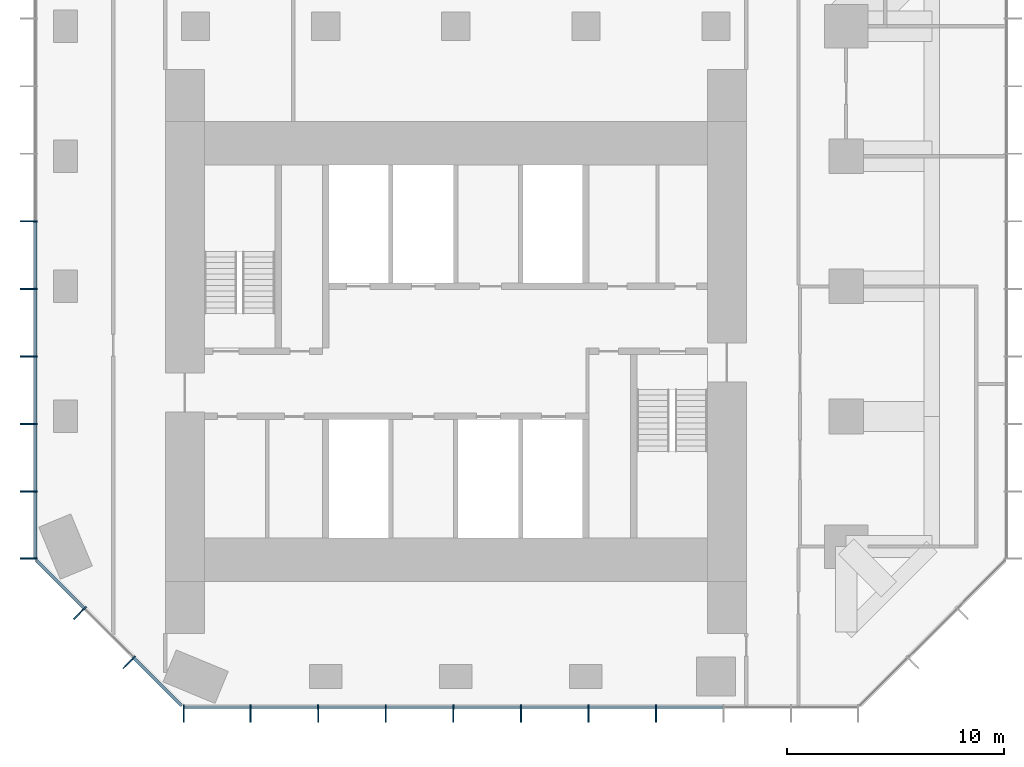
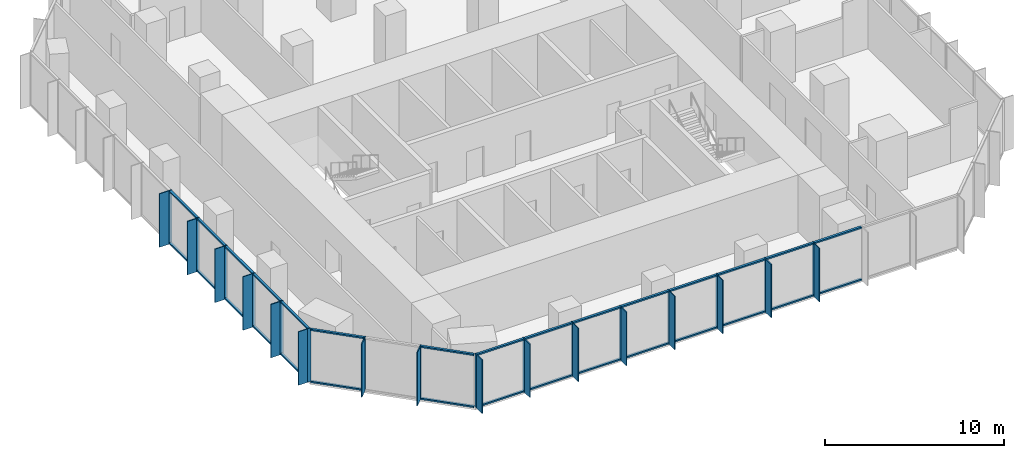
# One storey, part 2 of 11: 62 members, 3 elements without a shape of their own.
"""IFC4 building model written with IfcOpenShell, lengths in metres."""

from ifc_helpers import new_model, si_unit, direction, frame, origin, origin_2d, place, context, subcontext, project, spatial, rectangle, extrude, material, layer, layer_set, material_profile, profile_set, type_object, element, aggregate, save


model = new_model("IFC4")

# Units and contexts
model_context = context("Model", 3, precision=1e-05, world=origin(), true_north=direction((0.0, 1.0)))
body_context = subcontext(model_context, "Body", "Model", "MODEL_VIEW")
ifc_project = project(units=[si_unit("LENGTHUNIT", "METRE"), si_unit("AREAUNIT", "SQUARE_METRE"), si_unit("VOLUMEUNIT", "CUBIC_METRE"), si_unit("PLANEANGLEUNIT", "RADIAN"), si_unit("MASSUNIT", "GRAM", prefix="KILO")], contexts=[model_context])

# Site, building, storey
site_placement = place(None, origin())
site = spatial("IfcSite", under=ifc_project, at=site_placement, CompositionType="ELEMENT")
building_placement = place(site_placement, origin())
building = spatial("IfcBuilding", under=site, at=building_placement, Name="Highveld Stack Headquarters", CompositionType="ELEMENT")
storey_placement = place(building_placement, frame((0.0, 0.0, 169.39990234375)))
storey = spatial("IfcBuildingStorey", under=building, at=storey_placement, Name="L41", CompositionType="ELEMENT", Elevation=169.39990234375)

# Curtain wall, members
ifc_material_1 = material(Name="Aluminium bronze anodised", Category="aluminium")
ifc_layer = layer(ifc_material_1, 0.199951171875)
ifc_layer_set = layer_set([ifc_layer], Name="Aluminium bronze anodised")
curtain_wall_type = type_object("IfcCurtainWallType", Name="CW6 SKY LOBBY UNITISED CURTAIN WALL", PredefinedType="NOTDEFINED", material=ifc_layer_set)
curtain_wall_1_placement = place(storey_placement, origin())
curtain_wall_1 = element("IfcCurtainWall", 1, at=curtain_wall_1_placement, inside=storey, type_object=curtain_wall_type, Name="Curtain wall CW6 L41 S", PredefinedType="NOTDEFINED")
ifc_material_2 = material(Name="Aluminium bronze anodised", Category="aluminium")
ifc_material_profile_1 = material_profile(ifc_material_2, rectangle(XDim=0.60009765625, YDim=0.06005859375, at=origin_2d()), Name="FIN 600x60")
ifc_profile_set_1 = profile_set([ifc_material_profile_1], Name="Aluminium bronze anodised")
member_type_1 = type_object("IfcMemberType", Name="CW6 BRONZE FIN 600x60", PredefinedType="USERDEFINED", material=ifc_profile_set_1)
member_1_placement = place(storey_placement, frame((-6.54736328125, -13.800048828125, 0.0), z_axis=(0.0, 0.0, 1.0), x_axis=(0.0, 1.0, 0.0)))
member_1 = element("IfcMember", 2, at=member_1_placement, type_object=member_type_1, Name="CW6 fin L41 1", ObjectType="FIN", PredefinedType="USERDEFINED", context=body_context, shape_type="SweptSolid", body=[
    extrude(rectangle(XDim=0.60009765625, YDim=0.06005859375, at=origin_2d()), origin(), (0.0, 0.0, 1.0), 3.650146484375),
])
member_2_placement = place(storey_placement, frame((-3.4638671875, -13.800048828125, 0.0), z_axis=(0.0, 0.0, 1.0), x_axis=(0.0, 1.0, 0.0)))
member_2 = element("IfcMember", 3, at=member_2_placement, type_object=member_type_1, Name="CW6 fin L41 2", ObjectType="FIN", PredefinedType="USERDEFINED", context=body_context, shape_type="SweptSolid", body=[
    extrude(rectangle(XDim=0.60009765625, YDim=0.06005859375, at=origin_2d()), origin(), (0.0, 0.0, 1.0), 3.650146484375),
])
member_3_placement = place(storey_placement, frame((-0.347900390625, -13.800048828125, 0.0), z_axis=(0.0, 0.0, 1.0), x_axis=(0.0, 1.0, 0.0)))
member_3 = element("IfcMember", 4, at=member_3_placement, type_object=member_type_1, Name="CW6 fin L41 3", ObjectType="FIN", PredefinedType="USERDEFINED", context=body_context, shape_type="SweptSolid", body=[
    extrude(rectangle(XDim=0.60009765625, YDim=0.06005859375, at=origin_2d()), origin(), (0.0, 0.0, 1.0), 3.650146484375),
])
member_4_placement = place(storey_placement, frame((2.76806640625, -13.800048828125, 0.0), z_axis=(0.0, 0.0, 1.0), x_axis=(0.0, 1.0, 0.0)))
member_4 = element("IfcMember", 5, at=member_4_placement, type_object=member_type_1, Name="CW6 fin L41 4", ObjectType="FIN", PredefinedType="USERDEFINED", context=body_context, shape_type="SweptSolid", body=[
    extrude(rectangle(XDim=0.60009765625, YDim=0.06005859375, at=origin_2d()), origin(), (0.0, 0.0, 1.0), 3.650146484375),
])
member_5_placement = place(storey_placement, frame((5.884033203125, -13.800048828125, 0.0), z_axis=(0.0, 0.0, 1.0), x_axis=(0.0, 1.0, 0.0)))
member_5 = element("IfcMember", 6, at=member_5_placement, type_object=member_type_1, Name="CW6 fin L41 5", ObjectType="FIN", PredefinedType="USERDEFINED", context=body_context, shape_type="SweptSolid", body=[
    extrude(rectangle(XDim=0.60009765625, YDim=0.06005859375, at=origin_2d()), origin(), (0.0, 0.0, 1.0), 3.650146484375),
])
member_6_placement = place(storey_placement, frame((9.0, -13.800048828125, 0.0), z_axis=(0.0, 0.0, 1.0), x_axis=(0.0, 1.0, 0.0)))
member_6 = element("IfcMember", 7, at=member_6_placement, type_object=member_type_1, Name="CW6 fin L41 6", ObjectType="FIN", PredefinedType="USERDEFINED", context=body_context, shape_type="SweptSolid", body=[
    extrude(rectangle(XDim=0.60009765625, YDim=0.06005859375, at=origin_2d()), origin(), (0.0, 0.0, 1.0), 3.650146484375),
])
member_7_placement = place(storey_placement, frame((12.115966796875, -13.800048828125, 0.0), z_axis=(0.0, 0.0, 1.0), x_axis=(0.0, 1.0, 0.0)))
member_7 = element("IfcMember", 8, at=member_7_placement, type_object=member_type_1, Name="CW6 fin L41 7", ObjectType="FIN", PredefinedType="USERDEFINED", context=body_context, shape_type="SweptSolid", body=[
    extrude(rectangle(XDim=0.60009765625, YDim=0.06005859375, at=origin_2d()), origin(), (0.0, 0.0, 1.0), 3.650146484375),
])
member_8_placement = place(storey_placement, frame((15.23193359375, -13.800048828125, 0.0), z_axis=(0.0, 0.0, 1.0), x_axis=(0.0, 1.0, 0.0)))
member_8 = element("IfcMember", 9, at=member_8_placement, type_object=member_type_1, Name="CW6 fin L41 8", ObjectType="FIN", PredefinedType="USERDEFINED", context=body_context, shape_type="SweptSolid", body=[
    extrude(rectangle(XDim=0.60009765625, YDim=0.06005859375, at=origin_2d()), origin(), (0.0, 0.0, 1.0), 3.650146484375),
])

curtain_wall_2_placement = place(storey_placement, origin())
curtain_wall_2 = element("IfcCurtainWall", 10, at=curtain_wall_2_placement, inside=storey, type_object=curtain_wall_type, Name="Curtain wall CW6 L41 W", PredefinedType="NOTDEFINED")
member_9_placement = place(storey_placement, frame((-13.800048828125, 9.0, 0.0), z_axis=(0.0, 0.0, 1.0), x_axis=(1.0, 0.0, 0.0)))
member_9 = element("IfcMember", 11, at=member_9_placement, type_object=member_type_1, Name="CW6 fin L41 6", ObjectType="FIN", PredefinedType="USERDEFINED", context=body_context, shape_type="SweptSolid", body=[
    extrude(rectangle(XDim=0.60009765625, YDim=0.06005859375, at=origin_2d()), origin(), (0.0, 0.0, 1.0), 3.650146484375),
])
member_10_placement = place(storey_placement, frame((-13.800048828125, 5.884033203125, 0.0), z_axis=(0.0, 0.0, 1.0), x_axis=(1.0, 0.0, 0.0)))
member_10 = element("IfcMember", 12, at=member_10_placement, type_object=member_type_1, Name="CW6 fin L41 7", ObjectType="FIN", PredefinedType="USERDEFINED", context=body_context, shape_type="SweptSolid", body=[
    extrude(rectangle(XDim=0.60009765625, YDim=0.06005859375, at=origin_2d()), origin(), (0.0, 0.0, 1.0), 3.650146484375),
])
member_11_placement = place(storey_placement, frame((-13.800048828125, 2.76806640625, 0.0), z_axis=(0.0, 0.0, 1.0), x_axis=(1.0, 0.0, 0.0)))
member_11 = element("IfcMember", 13, at=member_11_placement, type_object=member_type_1, Name="CW6 fin L41 8", ObjectType="FIN", PredefinedType="USERDEFINED", context=body_context, shape_type="SweptSolid", body=[
    extrude(rectangle(XDim=0.60009765625, YDim=0.06005859375, at=origin_2d()), origin(), (0.0, 0.0, 1.0), 3.650146484375),
])
member_12_placement = place(storey_placement, frame((-13.800048828125, -0.347900390625, 0.0), z_axis=(0.0, 0.0, 1.0), x_axis=(1.0, 0.0, 0.0)))
member_12 = element("IfcMember", 14, at=member_12_placement, type_object=member_type_1, Name="CW6 fin L41 9", ObjectType="FIN", PredefinedType="USERDEFINED", context=body_context, shape_type="SweptSolid", body=[
    extrude(rectangle(XDim=0.60009765625, YDim=0.06005859375, at=origin_2d()), origin(), (0.0, 0.0, 1.0), 3.650146484375),
])
member_13_placement = place(storey_placement, frame((-13.800048828125, -3.4638671875, 0.0), z_axis=(0.0, 0.0, 1.0), x_axis=(1.0, 0.0, 0.0)))
member_13 = element("IfcMember", 15, at=member_13_placement, type_object=member_type_1, Name="CW6 fin L41 10", ObjectType="FIN", PredefinedType="USERDEFINED", context=body_context, shape_type="SweptSolid", body=[
    extrude(rectangle(XDim=0.60009765625, YDim=0.06005859375, at=origin_2d()), origin(), (0.0, 0.0, 1.0), 3.650146484375),
])
member_14_placement = place(storey_placement, frame((-13.800048828125, -6.54736328125, 0.0), z_axis=(0.0, 0.0, 1.0), x_axis=(1.0, 0.0, 0.0)))
member_14 = element("IfcMember", 16, at=member_14_placement, type_object=member_type_1, Name="CW6 fin L41 11", ObjectType="FIN", PredefinedType="USERDEFINED", context=body_context, shape_type="SweptSolid", body=[
    extrude(rectangle(XDim=0.60009765625, YDim=0.06005859375, at=origin_2d()), origin(), (0.0, 0.0, 1.0), 3.650146484375),
])

curtain_wall_3_placement = place(storey_placement, origin())
curtain_wall_3 = element("IfcCurtainWall", 17, at=curtain_wall_3_placement, inside=storey, type_object=curtain_wall_type, Name="Curtain wall CW6 L41 SW", PredefinedType="NOTDEFINED")
member_15_placement = place(storey_placement, frame((-11.409423828125, -9.135986328125, 0.0), z_axis=(0.0, 0.0, 1.0), x_axis=(0.707106781187, 0.707106781187, 0.0)))
member_15 = element("IfcMember", 18, at=member_15_placement, type_object=member_type_1, Name="CW6 fin L41 1", ObjectType="FIN", PredefinedType="USERDEFINED", context=body_context, shape_type="SweptSolid", body=[
    extrude(rectangle(XDim=0.60009765625, YDim=0.06005859375, at=origin_2d()), origin(), (0.0, 0.0, 1.0), 3.650146484375),
])
member_16_placement = place(storey_placement, frame((-9.135986328125, -11.409423828125, 0.0), z_axis=(0.0, 0.0, 1.0), x_axis=(0.707106781187, 0.707106781187, 0.0)))
member_16 = element("IfcMember", 19, at=member_16_placement, type_object=member_type_1, Name="CW6 fin L41 2", ObjectType="FIN", PredefinedType="USERDEFINED", context=body_context, shape_type="SweptSolid", body=[
    extrude(rectangle(XDim=0.60009765625, YDim=0.06005859375, at=origin_2d()), origin(), (0.0, 0.0, 1.0), 3.650146484375),
])

# Member
ifc_material_3 = material(Name="Aluminium bronze anodised", Category="aluminium")
ifc_material_profile_2 = material_profile(ifc_material_3, rectangle(XDim=0.199951171875, YDim=0.06494140625, at=origin_2d()), Name="CW6 MULLION 65x200")
ifc_profile_set_2 = profile_set([ifc_material_profile_2], Name="Aluminium bronze anodised")
member_type_2 = type_object("IfcMemberType", Name="CW6 MULLION 65x200", PredefinedType="MULLION", material=ifc_profile_set_2)
member_17_placement = place(storey_placement, frame((-6.54736328125, -13.39990234375, 0.0), z_axis=(0.0, 0.0, 1.0), x_axis=(0.0, 1.0, 0.0)))
member_17 = element("IfcMember", 20, at=member_17_placement, type_object=member_type_2, Name="CW6 mullion L41 1", PredefinedType="MULLION", context=body_context, shape_type="SweptSolid", body=[
    extrude(rectangle(XDim=0.199951171875, YDim=0.06494140625, at=origin_2d()), origin(), (0.0, 0.0, 1.0), 3.650146484375),
])

member_18_placement = place(storey_placement, frame((-3.4638671875, -13.39990234375, 0.0), z_axis=(0.0, 0.0, 1.0), x_axis=(0.0, 1.0, 0.0)))
member_18 = element("IfcMember", 21, at=member_18_placement, type_object=member_type_2, Name="CW6 mullion L41 2", PredefinedType="MULLION", context=body_context, shape_type="SweptSolid", body=[
    extrude(rectangle(XDim=0.199951171875, YDim=0.06494140625, at=origin_2d()), origin(), (0.0, 0.0, 1.0), 3.650146484375),
])

member_19_placement = place(storey_placement, frame((-0.347900390625, -13.39990234375, 0.0), z_axis=(0.0, 0.0, 1.0), x_axis=(0.0, 1.0, 0.0)))
member_19 = element("IfcMember", 22, at=member_19_placement, type_object=member_type_2, Name="CW6 mullion L41 3", PredefinedType="MULLION", context=body_context, shape_type="SweptSolid", body=[
    extrude(rectangle(XDim=0.199951171875, YDim=0.06494140625, at=origin_2d()), origin(), (0.0, 0.0, 1.0), 3.650146484375),
])

member_20_placement = place(storey_placement, frame((2.76806640625, -13.39990234375, 0.0), z_axis=(0.0, 0.0, 1.0), x_axis=(0.0, 1.0, 0.0)))
member_20 = element("IfcMember", 23, at=member_20_placement, type_object=member_type_2, Name="CW6 mullion L41 4", PredefinedType="MULLION", context=body_context, shape_type="SweptSolid", body=[
    extrude(rectangle(XDim=0.199951171875, YDim=0.06494140625, at=origin_2d()), origin(), (0.0, 0.0, 1.0), 3.650146484375),
])

member_21_placement = place(storey_placement, frame((5.884033203125, -13.39990234375, 0.0), z_axis=(0.0, 0.0, 1.0), x_axis=(0.0, 1.0, 0.0)))
member_21 = element("IfcMember", 24, at=member_21_placement, type_object=member_type_2, Name="CW6 mullion L41 5", PredefinedType="MULLION", context=body_context, shape_type="SweptSolid", body=[
    extrude(rectangle(XDim=0.199951171875, YDim=0.06494140625, at=origin_2d()), origin(), (0.0, 0.0, 1.0), 3.650146484375),
])

member_22_placement = place(storey_placement, frame((9.0, -13.39990234375, 0.0), z_axis=(0.0, 0.0, 1.0), x_axis=(0.0, 1.0, 0.0)))
member_22 = element("IfcMember", 25, at=member_22_placement, type_object=member_type_2, Name="CW6 mullion L41 6", PredefinedType="MULLION", context=body_context, shape_type="SweptSolid", body=[
    extrude(rectangle(XDim=0.199951171875, YDim=0.06494140625, at=origin_2d()), origin(), (0.0, 0.0, 1.0), 3.650146484375),
])

member_23_placement = place(storey_placement, frame((12.115966796875, -13.39990234375, 0.0), z_axis=(0.0, 0.0, 1.0), x_axis=(0.0, 1.0, 0.0)))
member_23 = element("IfcMember", 26, at=member_23_placement, type_object=member_type_2, Name="CW6 mullion L41 7", PredefinedType="MULLION", context=body_context, shape_type="SweptSolid", body=[
    extrude(rectangle(XDim=0.199951171875, YDim=0.06494140625, at=origin_2d()), origin(), (0.0, 0.0, 1.0), 3.650146484375),
])

member_24_placement = place(storey_placement, frame((15.23193359375, -13.39990234375, 0.0), z_axis=(0.0, 0.0, 1.0), x_axis=(0.0, 1.0, 0.0)))
member_24 = element("IfcMember", 27, at=member_24_placement, type_object=member_type_2, Name="CW6 mullion L41 8", PredefinedType="MULLION", context=body_context, shape_type="SweptSolid", body=[
    extrude(rectangle(XDim=0.199951171875, YDim=0.06494140625, at=origin_2d()), origin(), (0.0, 0.0, 1.0), 3.650146484375),
])

member_25_placement = place(storey_placement, frame((-13.39990234375, 9.0, 0.0), z_axis=(0.0, 0.0, 1.0), x_axis=(1.0, 0.0, 0.0)))
member_25 = element("IfcMember", 28, at=member_25_placement, type_object=member_type_2, Name="CW6 mullion L41 6", PredefinedType="MULLION", context=body_context, shape_type="SweptSolid", body=[
    extrude(rectangle(XDim=0.199951171875, YDim=0.06494140625, at=origin_2d()), origin(), (0.0, 0.0, 1.0), 3.650146484375),
])

member_26_placement = place(storey_placement, frame((-13.39990234375, 5.884033203125, 0.0), z_axis=(0.0, 0.0, 1.0), x_axis=(1.0, 0.0, 0.0)))
member_26 = element("IfcMember", 29, at=member_26_placement, type_object=member_type_2, Name="CW6 mullion L41 7", PredefinedType="MULLION", context=body_context, shape_type="SweptSolid", body=[
    extrude(rectangle(XDim=0.199951171875, YDim=0.06494140625, at=origin_2d()), origin(), (0.0, 0.0, 1.0), 3.650146484375),
])

member_27_placement = place(storey_placement, frame((-13.39990234375, 2.76806640625, 0.0), z_axis=(0.0, 0.0, 1.0), x_axis=(1.0, 0.0, 0.0)))
member_27 = element("IfcMember", 30, at=member_27_placement, type_object=member_type_2, Name="CW6 mullion L41 8", PredefinedType="MULLION", context=body_context, shape_type="SweptSolid", body=[
    extrude(rectangle(XDim=0.199951171875, YDim=0.06494140625, at=origin_2d()), origin(), (0.0, 0.0, 1.0), 3.650146484375),
])

member_28_placement = place(storey_placement, frame((-13.39990234375, -0.347900390625, 0.0), z_axis=(0.0, 0.0, 1.0), x_axis=(1.0, 0.0, 0.0)))
member_28 = element("IfcMember", 31, at=member_28_placement, type_object=member_type_2, Name="CW6 mullion L41 9", PredefinedType="MULLION", context=body_context, shape_type="SweptSolid", body=[
    extrude(rectangle(XDim=0.199951171875, YDim=0.06494140625, at=origin_2d()), origin(), (0.0, 0.0, 1.0), 3.650146484375),
])

member_29_placement = place(storey_placement, frame((-13.39990234375, -3.4638671875, 0.0), z_axis=(0.0, 0.0, 1.0), x_axis=(1.0, 0.0, 0.0)))
member_29 = element("IfcMember", 32, at=member_29_placement, type_object=member_type_2, Name="CW6 mullion L41 10", PredefinedType="MULLION", context=body_context, shape_type="SweptSolid", body=[
    extrude(rectangle(XDim=0.199951171875, YDim=0.06494140625, at=origin_2d()), origin(), (0.0, 0.0, 1.0), 3.650146484375),
])

member_30_placement = place(storey_placement, frame((-13.39990234375, -6.54736328125, 0.0), z_axis=(0.0, 0.0, 1.0), x_axis=(1.0, 0.0, 0.0)))
member_30 = element("IfcMember", 33, at=member_30_placement, type_object=member_type_2, Name="CW6 mullion L41 11", PredefinedType="MULLION", context=body_context, shape_type="SweptSolid", body=[
    extrude(rectangle(XDim=0.199951171875, YDim=0.06494140625, at=origin_2d()), origin(), (0.0, 0.0, 1.0), 3.650146484375),
])

member_31_placement = place(storey_placement, frame((-11.126708984375, -8.853271484375, 0.0), z_axis=(0.0, 0.0, 1.0), x_axis=(0.707106781187, 0.707106781187, 0.0)))
member_31 = element("IfcMember", 34, at=member_31_placement, type_object=member_type_2, Name="CW6 mullion L41 1", PredefinedType="MULLION", context=body_context, shape_type="SweptSolid", body=[
    extrude(rectangle(XDim=0.199951171875, YDim=0.06494140625, at=origin_2d()), origin(), (0.0, 0.0, 1.0), 3.650146484375),
])

member_32_placement = place(storey_placement, frame((-8.853271484375, -11.126708984375, 0.0), z_axis=(0.0, 0.0, 1.0), x_axis=(0.707106781187, 0.707106781187, 0.0)))
member_32 = element("IfcMember", 35, at=member_32_placement, type_object=member_type_2, Name="CW6 mullion L41 2", PredefinedType="MULLION", context=body_context, shape_type="SweptSolid", body=[
    extrude(rectangle(XDim=0.199951171875, YDim=0.06494140625, at=origin_2d()), origin(), (0.0, 0.0, 1.0), 3.650146484375),
])

ifc_material_4 = material(Name="Aluminium bronze anodised", Category="aluminium")
ifc_material_profile_3 = material_profile(ifc_material_4, rectangle(XDim=0.14990234375, YDim=0.10009765625, at=origin_2d()), Name="CW6 TRANSOM 150x100")
ifc_profile_set_3 = profile_set([ifc_material_profile_3], Name="Aluminium bronze anodised")
member_type_3 = type_object("IfcMemberType", Name="CW6 STACK TRANSOM 150x100", PredefinedType="USERDEFINED", material=ifc_profile_set_3)
member_33_placement = place(storey_placement, frame((-6.514892578125, -13.39990234375, 0.050048828125), z_axis=(1.0, 0.0, 0.0), x_axis=(0.0, 1.0, 0.0)))
member_33 = element("IfcMember", 36, at=member_33_placement, type_object=member_type_3, Name="CW6 transom L41 1.1", ObjectType="TRANSOM", PredefinedType="USERDEFINED", context=body_context, shape_type="SweptSolid", body=[
    extrude(rectangle(XDim=0.14990234375, YDim=0.10009765625, at=origin_2d()), origin(), (0.0, 0.0, 1.0), 3.0185546875),
])

member_34_placement = place(storey_placement, frame((-6.514892578125, -13.39990234375, 3.60009765625), z_axis=(1.0, 0.0, 0.0), x_axis=(0.0, 1.0, 0.0)))
member_34 = element("IfcMember", 37, at=member_34_placement, type_object=member_type_3, Name="CW6 transom L41 1.2", ObjectType="TRANSOM", PredefinedType="USERDEFINED", context=body_context, shape_type="SweptSolid", body=[
    extrude(rectangle(XDim=0.14990234375, YDim=0.10009765625, at=origin_2d()), origin(), (0.0, 0.0, 1.0), 3.0185546875),
])

member_35_placement = place(storey_placement, frame((-3.431396484375, -13.39990234375, 0.050048828125), z_axis=(1.0, 0.0, 0.0), x_axis=(0.0, 1.0, 0.0)))
member_35 = element("IfcMember", 38, at=member_35_placement, type_object=member_type_3, Name="CW6 transom L41 2.1", ObjectType="TRANSOM", PredefinedType="USERDEFINED", context=body_context, shape_type="SweptSolid", body=[
    extrude(rectangle(XDim=0.14990234375, YDim=0.10009765625, at=origin_2d()), origin(), (0.0, 0.0, 1.0), 3.051025390625),
])

member_36_placement = place(storey_placement, frame((-3.431396484375, -13.39990234375, 3.60009765625), z_axis=(1.0, 0.0, 0.0), x_axis=(0.0, 1.0, 0.0)))
member_36 = element("IfcMember", 39, at=member_36_placement, type_object=member_type_3, Name="CW6 transom L41 2.2", ObjectType="TRANSOM", PredefinedType="USERDEFINED", context=body_context, shape_type="SweptSolid", body=[
    extrude(rectangle(XDim=0.14990234375, YDim=0.10009765625, at=origin_2d()), origin(), (0.0, 0.0, 1.0), 3.051025390625),
])

member_37_placement = place(storey_placement, frame((-0.3154296875, -13.39990234375, 0.050048828125), z_axis=(1.0, 0.0, 0.0), x_axis=(0.0, 1.0, 0.0)))
member_37 = element("IfcMember", 40, at=member_37_placement, type_object=member_type_3, Name="CW6 transom L41 3.1", ObjectType="TRANSOM", PredefinedType="USERDEFINED", context=body_context, shape_type="SweptSolid", body=[
    extrude(rectangle(XDim=0.14990234375, YDim=0.10009765625, at=origin_2d()), origin(), (0.0, 0.0, 1.0), 3.051025390625),
])

member_38_placement = place(storey_placement, frame((-0.3154296875, -13.39990234375, 3.60009765625), z_axis=(1.0, 0.0, 0.0), x_axis=(0.0, 1.0, 0.0)))
member_38 = element("IfcMember", 41, at=member_38_placement, type_object=member_type_3, Name="CW6 transom L41 3.2", ObjectType="TRANSOM", PredefinedType="USERDEFINED", context=body_context, shape_type="SweptSolid", body=[
    extrude(rectangle(XDim=0.14990234375, YDim=0.10009765625, at=origin_2d()), origin(), (0.0, 0.0, 1.0), 3.051025390625),
])

member_39_placement = place(storey_placement, frame((2.800537109375, -13.39990234375, 0.050048828125), z_axis=(1.0, 0.0, 0.0), x_axis=(0.0, 1.0, 0.0)))
member_39 = element("IfcMember", 42, at=member_39_placement, type_object=member_type_3, Name="CW6 transom L41 4.1", ObjectType="TRANSOM", PredefinedType="USERDEFINED", context=body_context, shape_type="SweptSolid", body=[
    extrude(rectangle(XDim=0.14990234375, YDim=0.10009765625, at=origin_2d()), origin(), (0.0, 0.0, 1.0), 3.051025390625),
])

member_40_placement = place(storey_placement, frame((2.800537109375, -13.39990234375, 3.60009765625), z_axis=(1.0, 0.0, 0.0), x_axis=(0.0, 1.0, 0.0)))
member_40 = element("IfcMember", 43, at=member_40_placement, type_object=member_type_3, Name="CW6 transom L41 4.2", ObjectType="TRANSOM", PredefinedType="USERDEFINED", context=body_context, shape_type="SweptSolid", body=[
    extrude(rectangle(XDim=0.14990234375, YDim=0.10009765625, at=origin_2d()), origin(), (0.0, 0.0, 1.0), 3.051025390625),
])

member_41_placement = place(storey_placement, frame((5.91650390625, -13.39990234375, 0.050048828125), z_axis=(1.0, 0.0, 0.0), x_axis=(0.0, 1.0, 0.0)))
member_41 = element("IfcMember", 44, at=member_41_placement, type_object=member_type_3, Name="CW6 transom L41 5.1", ObjectType="TRANSOM", PredefinedType="USERDEFINED", context=body_context, shape_type="SweptSolid", body=[
    extrude(rectangle(XDim=0.14990234375, YDim=0.10009765625, at=origin_2d()), origin(), (0.0, 0.0, 1.0), 3.051025390625),
])

member_42_placement = place(storey_placement, frame((5.91650390625, -13.39990234375, 3.60009765625), z_axis=(1.0, 0.0, 0.0), x_axis=(0.0, 1.0, 0.0)))
member_42 = element("IfcMember", 45, at=member_42_placement, type_object=member_type_3, Name="CW6 transom L41 5.2", ObjectType="TRANSOM", PredefinedType="USERDEFINED", context=body_context, shape_type="SweptSolid", body=[
    extrude(rectangle(XDim=0.14990234375, YDim=0.10009765625, at=origin_2d()), origin(), (0.0, 0.0, 1.0), 3.051025390625),
])

member_43_placement = place(storey_placement, frame((9.032470703125, -13.39990234375, 0.050048828125), z_axis=(1.0, 0.0, 0.0), x_axis=(0.0, 1.0, 0.0)))
member_43 = element("IfcMember", 46, at=member_43_placement, type_object=member_type_3, Name="CW6 transom L41 6.1", ObjectType="TRANSOM", PredefinedType="USERDEFINED", context=body_context, shape_type="SweptSolid", body=[
    extrude(rectangle(XDim=0.14990234375, YDim=0.10009765625, at=origin_2d()), origin(), (0.0, 0.0, 1.0), 3.051025390625),
])

member_44_placement = place(storey_placement, frame((9.032470703125, -13.39990234375, 3.60009765625), z_axis=(1.0, 0.0, 0.0), x_axis=(0.0, 1.0, 0.0)))
member_44 = element("IfcMember", 47, at=member_44_placement, type_object=member_type_3, Name="CW6 transom L41 6.2", ObjectType="TRANSOM", PredefinedType="USERDEFINED", context=body_context, shape_type="SweptSolid", body=[
    extrude(rectangle(XDim=0.14990234375, YDim=0.10009765625, at=origin_2d()), origin(), (0.0, 0.0, 1.0), 3.051025390625),
])

member_45_placement = place(storey_placement, frame((12.1484375, -13.39990234375, 0.050048828125), z_axis=(1.0, 0.0, 0.0), x_axis=(0.0, 1.0, 0.0)))
member_45 = element("IfcMember", 48, at=member_45_placement, type_object=member_type_3, Name="CW6 transom L41 7.1", ObjectType="TRANSOM", PredefinedType="USERDEFINED", context=body_context, shape_type="SweptSolid", body=[
    extrude(rectangle(XDim=0.14990234375, YDim=0.10009765625, at=origin_2d()), origin(), (0.0, 0.0, 1.0), 3.051025390625),
])

member_46_placement = place(storey_placement, frame((12.1484375, -13.39990234375, 3.60009765625), z_axis=(1.0, 0.0, 0.0), x_axis=(0.0, 1.0, 0.0)))
member_46 = element("IfcMember", 49, at=member_46_placement, type_object=member_type_3, Name="CW6 transom L41 7.2", ObjectType="TRANSOM", PredefinedType="USERDEFINED", context=body_context, shape_type="SweptSolid", body=[
    extrude(rectangle(XDim=0.14990234375, YDim=0.10009765625, at=origin_2d()), origin(), (0.0, 0.0, 1.0), 3.051025390625),
])

member_47_placement = place(storey_placement, frame((15.264404296875, -13.39990234375, 0.050048828125), z_axis=(1.0, 0.0, 0.0), x_axis=(0.0, 1.0, 0.0)))
member_47 = element("IfcMember", 50, at=member_47_placement, type_object=member_type_3, Name="CW6 transom L41 8.1", ObjectType="TRANSOM", PredefinedType="USERDEFINED", context=body_context, shape_type="SweptSolid", body=[
    extrude(rectangle(XDim=0.14990234375, YDim=0.10009765625, at=origin_2d()), origin(), (0.0, 0.0, 1.0), 3.051025390625),
])

member_48_placement = place(storey_placement, frame((15.264404296875, -13.39990234375, 3.60009765625), z_axis=(1.0, 0.0, 0.0), x_axis=(0.0, 1.0, 0.0)))
member_48 = element("IfcMember", 51, at=member_48_placement, type_object=member_type_3, Name="CW6 transom L41 8.2", ObjectType="TRANSOM", PredefinedType="USERDEFINED", context=body_context, shape_type="SweptSolid", body=[
    extrude(rectangle(XDim=0.14990234375, YDim=0.10009765625, at=origin_2d()), origin(), (0.0, 0.0, 1.0), 3.051025390625),
])

aggregate(curtain_wall_1, [member_17, member_1, member_18, member_2, member_19, member_3, member_20, member_4, member_21, member_5, member_22, member_6, member_23, member_7, member_24, member_8, member_33, member_34, member_35, member_36, member_37, member_38, member_39, member_40, member_41, member_42, member_43, member_44, member_45, member_46, member_47, member_48])

member_49_placement = place(storey_placement, frame((-13.39990234375, 8.967529296875, 0.050048828125), z_axis=(0.0, -1.0, 0.0), x_axis=(1.0, 0.0, 0.0)))
member_49 = element("IfcMember", 52, at=member_49_placement, type_object=member_type_3, Name="CW6 transom L41 6.1", ObjectType="TRANSOM", PredefinedType="USERDEFINED", context=body_context, shape_type="SweptSolid", body=[
    extrude(rectangle(XDim=0.14990234375, YDim=0.10009765625, at=origin_2d()), origin(), (0.0, 0.0, 1.0), 3.051025390625),
])

member_50_placement = place(storey_placement, frame((-13.39990234375, 8.967529296875, 3.60009765625), z_axis=(0.0, -1.0, 0.0), x_axis=(1.0, 0.0, 0.0)))
member_50 = element("IfcMember", 53, at=member_50_placement, type_object=member_type_3, Name="CW6 transom L41 6.2", ObjectType="TRANSOM", PredefinedType="USERDEFINED", context=body_context, shape_type="SweptSolid", body=[
    extrude(rectangle(XDim=0.14990234375, YDim=0.10009765625, at=origin_2d()), origin(), (0.0, 0.0, 1.0), 3.051025390625),
])

member_51_placement = place(storey_placement, frame((-13.39990234375, 5.8515625, 0.050048828125), z_axis=(0.0, -1.0, 0.0), x_axis=(1.0, 0.0, 0.0)))
member_51 = element("IfcMember", 54, at=member_51_placement, type_object=member_type_3, Name="CW6 transom L41 7.1", ObjectType="TRANSOM", PredefinedType="USERDEFINED", context=body_context, shape_type="SweptSolid", body=[
    extrude(rectangle(XDim=0.14990234375, YDim=0.10009765625, at=origin_2d()), origin(), (0.0, 0.0, 1.0), 3.051025390625),
])

member_52_placement = place(storey_placement, frame((-13.39990234375, 5.8515625, 3.60009765625), z_axis=(0.0, -1.0, 0.0), x_axis=(1.0, 0.0, 0.0)))
member_52 = element("IfcMember", 55, at=member_52_placement, type_object=member_type_3, Name="CW6 transom L41 7.2", ObjectType="TRANSOM", PredefinedType="USERDEFINED", context=body_context, shape_type="SweptSolid", body=[
    extrude(rectangle(XDim=0.14990234375, YDim=0.10009765625, at=origin_2d()), origin(), (0.0, 0.0, 1.0), 3.051025390625),
])

member_53_placement = place(storey_placement, frame((-13.39990234375, 2.735595703125, 0.050048828125), z_axis=(0.0, -1.0, 0.0), x_axis=(1.0, 0.0, 0.0)))
member_53 = element("IfcMember", 56, at=member_53_placement, type_object=member_type_3, Name="CW6 transom L41 8.1", ObjectType="TRANSOM", PredefinedType="USERDEFINED", context=body_context, shape_type="SweptSolid", body=[
    extrude(rectangle(XDim=0.14990234375, YDim=0.10009765625, at=origin_2d()), origin(), (0.0, 0.0, 1.0), 3.051025390625),
])

member_54_placement = place(storey_placement, frame((-13.39990234375, 2.735595703125, 3.60009765625), z_axis=(0.0, -1.0, 0.0), x_axis=(1.0, 0.0, 0.0)))
member_54 = element("IfcMember", 57, at=member_54_placement, type_object=member_type_3, Name="CW6 transom L41 8.2", ObjectType="TRANSOM", PredefinedType="USERDEFINED", context=body_context, shape_type="SweptSolid", body=[
    extrude(rectangle(XDim=0.14990234375, YDim=0.10009765625, at=origin_2d()), origin(), (0.0, 0.0, 1.0), 3.051025390625),
])

member_55_placement = place(storey_placement, frame((-13.39990234375, -0.38037109375, 0.050048828125), z_axis=(0.0, -1.0, 0.0), x_axis=(1.0, 0.0, 0.0)))
member_55 = element("IfcMember", 58, at=member_55_placement, type_object=member_type_3, Name="CW6 transom L41 9.1", ObjectType="TRANSOM", PredefinedType="USERDEFINED", context=body_context, shape_type="SweptSolid", body=[
    extrude(rectangle(XDim=0.14990234375, YDim=0.10009765625, at=origin_2d()), origin(), (0.0, 0.0, 1.0), 3.051025390625),
])

member_56_placement = place(storey_placement, frame((-13.39990234375, -0.38037109375, 3.60009765625), z_axis=(0.0, -1.0, 0.0), x_axis=(1.0, 0.0, 0.0)))
member_56 = element("IfcMember", 59, at=member_56_placement, type_object=member_type_3, Name="CW6 transom L41 9.2", ObjectType="TRANSOM", PredefinedType="USERDEFINED", context=body_context, shape_type="SweptSolid", body=[
    extrude(rectangle(XDim=0.14990234375, YDim=0.10009765625, at=origin_2d()), origin(), (0.0, 0.0, 1.0), 3.051025390625),
])

member_57_placement = place(storey_placement, frame((-13.39990234375, -3.496337890625, 0.050048828125), z_axis=(0.0, -1.0, 0.0), x_axis=(1.0, 0.0, 0.0)))
member_57 = element("IfcMember", 60, at=member_57_placement, type_object=member_type_3, Name="CW6 transom L41 10.1", ObjectType="TRANSOM", PredefinedType="USERDEFINED", context=body_context, shape_type="SweptSolid", body=[
    extrude(rectangle(XDim=0.14990234375, YDim=0.10009765625, at=origin_2d()), origin(), (0.0, 0.0, 1.0), 3.0185546875),
])

member_58_placement = place(storey_placement, frame((-13.39990234375, -3.496337890625, 3.60009765625), z_axis=(0.0, -1.0, 0.0), x_axis=(1.0, 0.0, 0.0)))
member_58 = element("IfcMember", 61, at=member_58_placement, type_object=member_type_3, Name="CW6 transom L41 10.2", ObjectType="TRANSOM", PredefinedType="USERDEFINED", context=body_context, shape_type="SweptSolid", body=[
    extrude(rectangle(XDim=0.14990234375, YDim=0.10009765625, at=origin_2d()), origin(), (0.0, 0.0, 1.0), 3.0185546875),
])

aggregate(curtain_wall_2, [member_25, member_9, member_26, member_10, member_27, member_11, member_28, member_12, member_29, member_13, member_30, member_14, member_49, member_50, member_51, member_52, member_53, member_54, member_55, member_56, member_57, member_58])

member_59_placement = place(storey_placement, frame((-13.329345703125, -6.650634765625, 0.050048828125), z_axis=(0.707106781187, -0.707106781187, 0.0), x_axis=(0.707106781187, 0.707106781187, 0.0)))
member_59 = element("IfcMember", 62, at=member_59_placement, type_object=member_type_3, Name="CW6 transom L41 1.1", ObjectType="TRANSOM", PredefinedType="USERDEFINED", context=body_context, shape_type="SweptSolid", body=[
    extrude(rectangle(XDim=0.14990234375, YDim=0.10009765625, at=origin_2d()), origin(), (0.0, 0.0, 1.0), 3.08251953125),
])

member_60_placement = place(storey_placement, frame((-13.329345703125, -6.650634765625, 3.60009765625), z_axis=(0.707106781187, -0.707106781187, 0.0), x_axis=(0.707106781187, 0.707106781187, 0.0)))
member_60 = element("IfcMember", 63, at=member_60_placement, type_object=member_type_3, Name="CW6 transom L41 1.2", ObjectType="TRANSOM", PredefinedType="USERDEFINED", context=body_context, shape_type="SweptSolid", body=[
    extrude(rectangle(XDim=0.14990234375, YDim=0.10009765625, at=origin_2d()), origin(), (0.0, 0.0, 1.0), 3.08251953125),
])

member_61_placement = place(storey_placement, frame((-8.830322265625, -11.149658203125, 0.050048828125), z_axis=(0.707106781187, -0.707106781187, 0.0), x_axis=(0.707106781187, 0.707106781187, 0.0)))
member_61 = element("IfcMember", 64, at=member_61_placement, type_object=member_type_3, Name="CW6 transom L41 3.1", ObjectType="TRANSOM", PredefinedType="USERDEFINED", context=body_context, shape_type="SweptSolid", body=[
    extrude(rectangle(XDim=0.14990234375, YDim=0.10009765625, at=origin_2d()), origin(), (0.0, 0.0, 1.0), 3.08251953125),
])

member_62_placement = place(storey_placement, frame((-8.830322265625, -11.149658203125, 3.60009765625), z_axis=(0.707106781187, -0.707106781187, 0.0), x_axis=(0.707106781187, 0.707106781187, 0.0)))
member_62 = element("IfcMember", 65, at=member_62_placement, type_object=member_type_3, Name="CW6 transom L41 3.2", ObjectType="TRANSOM", PredefinedType="USERDEFINED", context=body_context, shape_type="SweptSolid", body=[
    extrude(rectangle(XDim=0.14990234375, YDim=0.10009765625, at=origin_2d()), origin(), (0.0, 0.0, 1.0), 3.08251953125),
])

aggregate(curtain_wall_3, [member_31, member_15, member_32, member_16, member_59, member_60, member_61, member_62])

save(model, "model.ifc")
